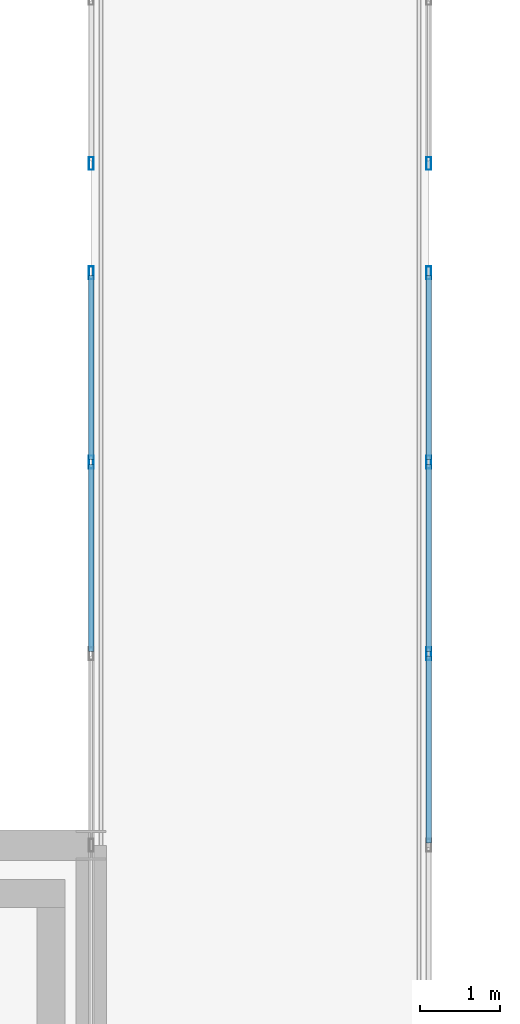
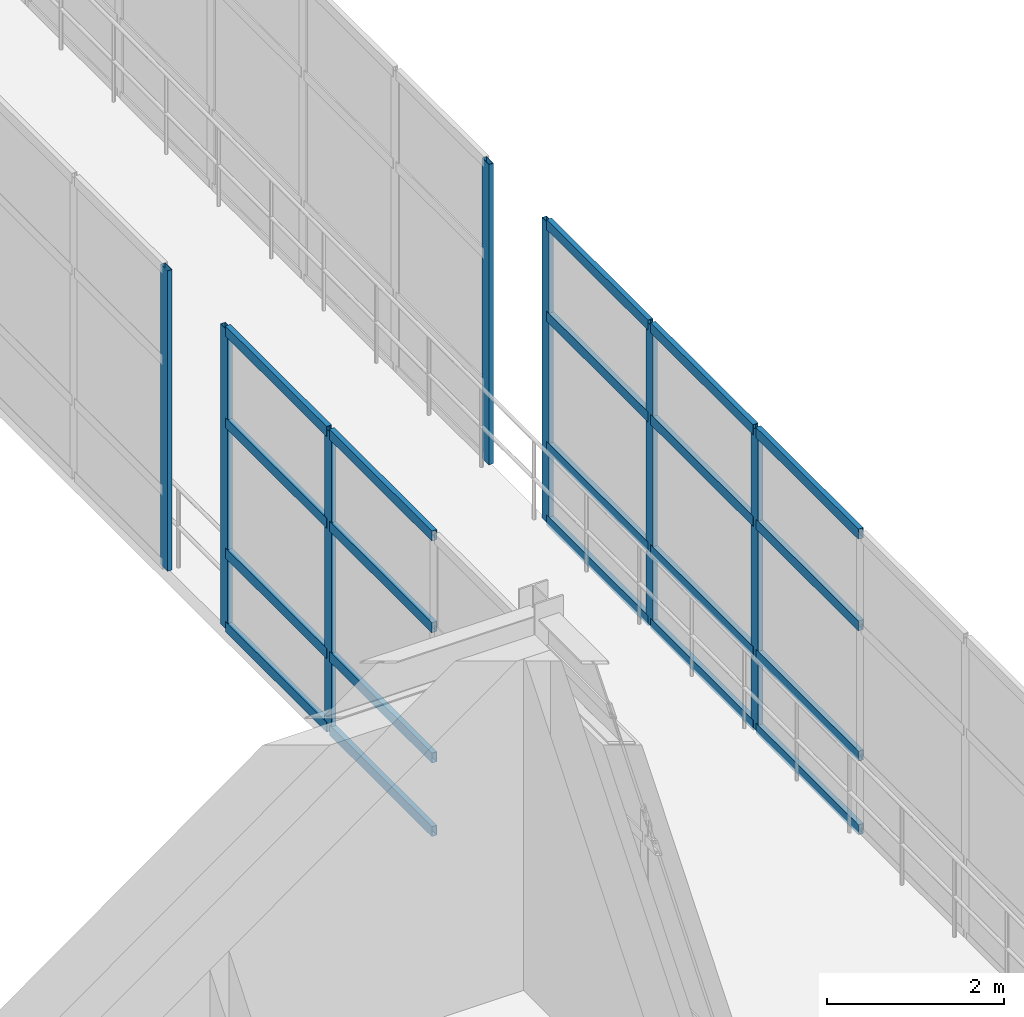
# One storey, part 60 of 116: 27 members, 4 elements without a shape of their own.
"""IFC4 building model written with IfcOpenShell, lengths in metres."""

from ifc_helpers import new_model, si_unit, direction, frame, origin, origin_2d, place, context, subcontext, project, spatial, hollow_rectangle, extrude, material, layer, layer_set, material_profile, profile_set, type_object, element, aggregate, save


model = new_model("IFC4")

# Units and contexts
model_context = context("Model", 3, precision=1e-05, world=origin(), true_north=direction((0.0, 1.0)))
body_context = subcontext(model_context, "Body", "Model", "MODEL_VIEW")
ifc_project = project(units=[si_unit("LENGTHUNIT", "METRE"), si_unit("AREAUNIT", "SQUARE_METRE"), si_unit("VOLUMEUNIT", "CUBIC_METRE"), si_unit("PLANEANGLEUNIT", "RADIAN"), si_unit("MASSUNIT", "GRAM", prefix="KILO")], contexts=[model_context])

# Site, building, storey
site_placement = place(None, origin())
site = spatial("IfcSite", under=ifc_project, at=site_placement, CompositionType="ELEMENT")
building_placement = place(site_placement, origin())
building = spatial("IfcBuilding", under=site, at=building_placement, Name="Selat Folded Stagehouse", CompositionType="ELEMENT")
storey_placement = place(building_placement, frame((0.0, 0.0, 5.39990234375)))
storey = spatial("IfcBuildingStorey", under=building, at=storey_placement, Name="L01", CompositionType="ELEMENT", Elevation=5.39990234375)

# Curtain wall, members
ifc_material = material(Name="Aluminium 6063-T6", Category="aluminium")
ifc_layer = layer(ifc_material, 0.175048828125)
ifc_layer_set = layer_set([ifc_layer], Name="Aluminium 6063-T6")
curtain_wall_type = type_object("IfcCurtainWallType", Name="CW-BRG-GLAZ", PredefinedType="NOTDEFINED", material=ifc_layer_set)
curtain_wall_1_placement = place(storey_placement, origin())
curtain_wall_1 = element("IfcCurtainWall", 1, at=curtain_wall_1_placement, inside=storey, type_object=curtain_wall_type, Name="L01 curtain wall CW-BRG-03", PredefinedType="NOTDEFINED")
ifc_material_profile_1 = material_profile(ifc_material, hollow_rectangle(XDim=0.06005859375, YDim=0.159912109375, WallThickness=0.00390625, at=origin_2d()), Name="ALU 160x60x4.0")
ifc_profile_set_1 = profile_set([ifc_material_profile_1], Name="Aluminium 6063-T6")
member_type_1 = type_object("IfcMemberType", Name="CWM-MUL-160x60", PredefinedType="MULLION", material=ifc_profile_set_1)
member_1_placement = place(storey_placement, frame((67.199951171875, 59.36669921875, 0.0), z_axis=(0.0, 0.0, 1.0), x_axis=(-1.0, 0.0, 0.0)))
member_1 = element("IfcMember", 2, at=member_1_placement, type_object=member_type_1, Name="CW-07 mullion 6", PredefinedType="MULLION", context=body_context, shape_type="SweptSolid", body=[
    extrude(hollow_rectangle(XDim=0.06005859375, YDim=0.159912109375, WallThickness=0.00390625, at=origin_2d()), origin(), (0.0, 0.0, 1.0), 4.150146484375),
])
member_2_placement = place(storey_placement, frame((67.199951171875, 61.719970703125, 0.0), z_axis=(0.0, 0.0, 1.0), x_axis=(-1.0, 0.0, 0.0)))
member_2 = element("IfcMember", 3, at=member_2_placement, type_object=member_type_1, Name="CW-07 mullion 7", PredefinedType="MULLION", context=body_context, shape_type="SweptSolid", body=[
    extrude(hollow_rectangle(XDim=0.06005859375, YDim=0.159912109375, WallThickness=0.00390625, at=origin_2d()), origin(), (0.0, 0.0, 1.0), 4.150146484375),
])

# Curtain wall, member
curtain_wall_2_placement = place(storey_placement, origin())
curtain_wall_2 = element("IfcCurtainWall", 4, at=curtain_wall_2_placement, inside=storey, type_object=curtain_wall_type, Name="L01 curtain wall CW-BRG-04", PredefinedType="NOTDEFINED")
member_3_placement = place(storey_placement, frame((67.199951171875, 63.080078125, 0.0), z_axis=(0.0, 0.0, 1.0), x_axis=(-1.0, 0.0, 0.0)))
member_3 = element("IfcMember", 5, at=member_3_placement, type_object=member_type_1, Name="CW-07 mullion 1", PredefinedType="MULLION", context=body_context, shape_type="SweptSolid", body=[
    extrude(hollow_rectangle(XDim=0.06005859375, YDim=0.159912109375, WallThickness=0.00390625, at=origin_2d()), origin(), (0.0, 0.0, 1.0), 4.150146484375),
])
aggregate(curtain_wall_2, [member_3])

# Curtain wall, members
curtain_wall_3_placement = place(storey_placement, origin())
curtain_wall_3 = element("IfcCurtainWall", 6, at=curtain_wall_3_placement, inside=storey, type_object=curtain_wall_type, Name="L01 curtain wall CW-BRG-08", PredefinedType="NOTDEFINED")
member_4_placement = place(storey_placement, frame((71.39990234375, 61.719970703125, 0.0), z_axis=(0.0, 0.0, 1.0), x_axis=(1.0, 0.0, 0.0)))
member_4 = element("IfcMember", 7, at=member_4_placement, type_object=member_type_1, Name="CW-07 mullion 1", PredefinedType="MULLION", context=body_context, shape_type="SweptSolid", body=[
    extrude(hollow_rectangle(XDim=0.06005859375, YDim=0.159912109375, WallThickness=0.00390625, at=origin_2d()), origin(), (0.0, 0.0, 1.0), 4.150146484375),
])
member_5_placement = place(storey_placement, frame((71.39990234375, 59.36669921875, 0.0), z_axis=(0.0, 0.0, 1.0), x_axis=(1.0, 0.0, 0.0)))
member_5 = element("IfcMember", 8, at=member_5_placement, type_object=member_type_1, Name="CW-07 mullion 2", PredefinedType="MULLION", context=body_context, shape_type="SweptSolid", body=[
    extrude(hollow_rectangle(XDim=0.06005859375, YDim=0.159912109375, WallThickness=0.00390625, at=origin_2d()), origin(), (0.0, 0.0, 1.0), 4.150146484375),
])
member_6_placement = place(storey_placement, frame((71.39990234375, 56.9833984375, 0.0), z_axis=(0.0, 0.0, 1.0), x_axis=(1.0, 0.0, 0.0)))
member_6 = element("IfcMember", 9, at=member_6_placement, type_object=member_type_1, Name="CW-07 mullion 3", PredefinedType="MULLION", context=body_context, shape_type="SweptSolid", body=[
    extrude(hollow_rectangle(XDim=0.06005859375, YDim=0.159912109375, WallThickness=0.00390625, at=origin_2d()), origin(), (0.0, 0.0, 1.0), 4.150146484375),
])

# Curtain wall, member
curtain_wall_4_placement = place(storey_placement, origin())
curtain_wall_4 = element("IfcCurtainWall", 10, at=curtain_wall_4_placement, inside=storey, type_object=curtain_wall_type, Name="L01 curtain wall CW-BRG-09", PredefinedType="NOTDEFINED")
member_7_placement = place(storey_placement, frame((71.39990234375, 63.080078125, 0.0), z_axis=(0.0, 0.0, 1.0), x_axis=(1.0, 0.0, 0.0)))
member_7 = element("IfcMember", 11, at=member_7_placement, type_object=member_type_1, Name="CW-07 mullion 7", PredefinedType="MULLION", context=body_context, shape_type="SweptSolid", body=[
    extrude(hollow_rectangle(XDim=0.06005859375, YDim=0.159912109375, WallThickness=0.00390625, at=origin_2d()), origin(), (0.0, 0.0, 1.0), 4.150146484375),
])
aggregate(curtain_wall_4, [member_7])

# Member
ifc_material_profile_2 = material_profile(ifc_material, hollow_rectangle(XDim=0.06494140625, YDim=0.139892578125, WallThickness=0.00390625, at=origin_2d()), Name="ALU 140x65x4.0")
ifc_profile_set_2 = profile_set([ifc_material_profile_2], Name="Aluminium 6063-T6")
member_type_2 = type_object("IfcMemberType", Name="CWM-TRN-140x65", PredefinedType="USERDEFINED", material=ifc_profile_set_2)
member_8_placement = place(storey_placement, frame((67.199951171875, 57.013427734375, 0.03271484375), z_axis=(0.0, 1.0, 0.0), x_axis=(-1.0, 0.0, 0.0)))
member_8 = element("IfcMember", 12, at=member_8_placement, type_object=member_type_2, Name="CW-07 transom 5.1", ObjectType="TRANSOM", PredefinedType="USERDEFINED", context=body_context, shape_type="SweptSolid", body=[
    extrude(hollow_rectangle(XDim=0.06494140625, YDim=0.139892578125, WallThickness=0.00390625, at=origin_2d()), origin(), (0.0, 0.0, 1.0), 2.3232421875),
])

member_9_placement = place(storey_placement, frame((67.199951171875, 57.013427734375, 1.050048828125), z_axis=(0.0, 1.0, 0.0), x_axis=(-1.0, 0.0, 0.0)))
member_9 = element("IfcMember", 13, at=member_9_placement, type_object=member_type_2, Name="CW-07 transom 5.2", ObjectType="TRANSOM", PredefinedType="USERDEFINED", context=body_context, shape_type="SweptSolid", body=[
    extrude(hollow_rectangle(XDim=0.06494140625, YDim=0.139892578125, WallThickness=0.00390625, at=origin_2d()), origin(), (0.0, 0.0, 1.0), 2.3232421875),
])

member_10_placement = place(storey_placement, frame((67.199951171875, 57.013427734375, 2.85009765625), z_axis=(0.0, 1.0, 0.0), x_axis=(-1.0, 0.0, 0.0)))
member_10 = element("IfcMember", 14, at=member_10_placement, type_object=member_type_2, Name="CW-07 transom 5.3", ObjectType="TRANSOM", PredefinedType="USERDEFINED", context=body_context, shape_type="SweptSolid", body=[
    extrude(hollow_rectangle(XDim=0.06494140625, YDim=0.139892578125, WallThickness=0.00390625, at=origin_2d()), origin(), (0.0, 0.0, 1.0), 2.3232421875),
])

member_11_placement = place(storey_placement, frame((67.199951171875, 57.013427734375, 4.11767578125), z_axis=(0.0, 1.0, 0.0), x_axis=(-1.0, 0.0, 0.0)))
member_11 = element("IfcMember", 15, at=member_11_placement, type_object=member_type_2, Name="CW-07 transom 5.4", ObjectType="TRANSOM", PredefinedType="USERDEFINED", context=body_context, shape_type="SweptSolid", body=[
    extrude(hollow_rectangle(XDim=0.06494140625, YDim=0.139892578125, WallThickness=0.00390625, at=origin_2d()), origin(), (0.0, 0.0, 1.0), 2.3232421875),
])

member_12_placement = place(storey_placement, frame((67.199951171875, 59.396728515625, 0.03271484375), z_axis=(0.0, 1.0, 0.0), x_axis=(-1.0, 0.0, 0.0)))
member_12 = element("IfcMember", 16, at=member_12_placement, type_object=member_type_2, Name="CW-07 transom 6.1", ObjectType="TRANSOM", PredefinedType="USERDEFINED", context=body_context, shape_type="SweptSolid", body=[
    extrude(hollow_rectangle(XDim=0.06494140625, YDim=0.139892578125, WallThickness=0.00390625, at=origin_2d()), origin(), (0.0, 0.0, 1.0), 2.293212890625),
])

member_13_placement = place(storey_placement, frame((67.199951171875, 59.396728515625, 1.050048828125), z_axis=(0.0, 1.0, 0.0), x_axis=(-1.0, 0.0, 0.0)))
member_13 = element("IfcMember", 17, at=member_13_placement, type_object=member_type_2, Name="CW-07 transom 6.2", ObjectType="TRANSOM", PredefinedType="USERDEFINED", context=body_context, shape_type="SweptSolid", body=[
    extrude(hollow_rectangle(XDim=0.06494140625, YDim=0.139892578125, WallThickness=0.00390625, at=origin_2d()), origin(), (0.0, 0.0, 1.0), 2.293212890625),
])

member_14_placement = place(storey_placement, frame((67.199951171875, 59.396728515625, 2.85009765625), z_axis=(0.0, 1.0, 0.0), x_axis=(-1.0, 0.0, 0.0)))
member_14 = element("IfcMember", 18, at=member_14_placement, type_object=member_type_2, Name="CW-07 transom 6.3", ObjectType="TRANSOM", PredefinedType="USERDEFINED", context=body_context, shape_type="SweptSolid", body=[
    extrude(hollow_rectangle(XDim=0.06494140625, YDim=0.139892578125, WallThickness=0.00390625, at=origin_2d()), origin(), (0.0, 0.0, 1.0), 2.293212890625),
])

member_15_placement = place(storey_placement, frame((67.199951171875, 59.396728515625, 4.11767578125), z_axis=(0.0, 1.0, 0.0), x_axis=(-1.0, 0.0, 0.0)))
member_15 = element("IfcMember", 19, at=member_15_placement, type_object=member_type_2, Name="CW-07 transom 6.4", ObjectType="TRANSOM", PredefinedType="USERDEFINED", context=body_context, shape_type="SweptSolid", body=[
    extrude(hollow_rectangle(XDim=0.06494140625, YDim=0.139892578125, WallThickness=0.00390625, at=origin_2d()), origin(), (0.0, 0.0, 1.0), 2.293212890625),
])

aggregate(curtain_wall_1, [member_1, member_2, member_8, member_9, member_10, member_11, member_12, member_13, member_14, member_15])

member_16_placement = place(storey_placement, frame((71.39990234375, 61.68994140625, 0.03271484375), z_axis=(0.0, -1.0, 0.0), x_axis=(1.0, 0.0, 0.0)))
member_16 = element("IfcMember", 20, at=member_16_placement, type_object=member_type_2, Name="CW-07 transom 1.1", ObjectType="TRANSOM", PredefinedType="USERDEFINED", context=body_context, shape_type="SweptSolid", body=[
    extrude(hollow_rectangle(XDim=0.06494140625, YDim=0.139892578125, WallThickness=0.00390625, at=origin_2d()), origin(), (0.0, 0.0, 1.0), 2.293212890625),
])

member_17_placement = place(storey_placement, frame((71.39990234375, 61.68994140625, 1.050048828125), z_axis=(0.0, -1.0, 0.0), x_axis=(1.0, 0.0, 0.0)))
member_17 = element("IfcMember", 21, at=member_17_placement, type_object=member_type_2, Name="CW-07 transom 1.2", ObjectType="TRANSOM", PredefinedType="USERDEFINED", context=body_context, shape_type="SweptSolid", body=[
    extrude(hollow_rectangle(XDim=0.06494140625, YDim=0.139892578125, WallThickness=0.00390625, at=origin_2d()), origin(), (0.0, 0.0, 1.0), 2.293212890625),
])

member_18_placement = place(storey_placement, frame((71.39990234375, 61.68994140625, 2.85009765625), z_axis=(0.0, -1.0, 0.0), x_axis=(1.0, 0.0, 0.0)))
member_18 = element("IfcMember", 22, at=member_18_placement, type_object=member_type_2, Name="CW-07 transom 1.3", ObjectType="TRANSOM", PredefinedType="USERDEFINED", context=body_context, shape_type="SweptSolid", body=[
    extrude(hollow_rectangle(XDim=0.06494140625, YDim=0.139892578125, WallThickness=0.00390625, at=origin_2d()), origin(), (0.0, 0.0, 1.0), 2.293212890625),
])

member_19_placement = place(storey_placement, frame((71.39990234375, 61.68994140625, 4.11767578125), z_axis=(0.0, -1.0, 0.0), x_axis=(1.0, 0.0, 0.0)))
member_19 = element("IfcMember", 23, at=member_19_placement, type_object=member_type_2, Name="CW-07 transom 1.4", ObjectType="TRANSOM", PredefinedType="USERDEFINED", context=body_context, shape_type="SweptSolid", body=[
    extrude(hollow_rectangle(XDim=0.06494140625, YDim=0.139892578125, WallThickness=0.00390625, at=origin_2d()), origin(), (0.0, 0.0, 1.0), 2.293212890625),
])

member_20_placement = place(storey_placement, frame((71.39990234375, 59.336669921875, 0.03271484375), z_axis=(0.0, -1.0, 0.0), x_axis=(1.0, 0.0, 0.0)))
member_20 = element("IfcMember", 24, at=member_20_placement, type_object=member_type_2, Name="CW-07 transom 2.1", ObjectType="TRANSOM", PredefinedType="USERDEFINED", context=body_context, shape_type="SweptSolid", body=[
    extrude(hollow_rectangle(XDim=0.06494140625, YDim=0.139892578125, WallThickness=0.00390625, at=origin_2d()), origin(), (0.0, 0.0, 1.0), 2.3232421875),
])

member_21_placement = place(storey_placement, frame((71.39990234375, 59.336669921875, 1.050048828125), z_axis=(0.0, -1.0, 0.0), x_axis=(1.0, 0.0, 0.0)))
member_21 = element("IfcMember", 25, at=member_21_placement, type_object=member_type_2, Name="CW-07 transom 2.2", ObjectType="TRANSOM", PredefinedType="USERDEFINED", context=body_context, shape_type="SweptSolid", body=[
    extrude(hollow_rectangle(XDim=0.06494140625, YDim=0.139892578125, WallThickness=0.00390625, at=origin_2d()), origin(), (0.0, 0.0, 1.0), 2.3232421875),
])

member_22_placement = place(storey_placement, frame((71.39990234375, 59.336669921875, 2.85009765625), z_axis=(0.0, -1.0, 0.0), x_axis=(1.0, 0.0, 0.0)))
member_22 = element("IfcMember", 26, at=member_22_placement, type_object=member_type_2, Name="CW-07 transom 2.3", ObjectType="TRANSOM", PredefinedType="USERDEFINED", context=body_context, shape_type="SweptSolid", body=[
    extrude(hollow_rectangle(XDim=0.06494140625, YDim=0.139892578125, WallThickness=0.00390625, at=origin_2d()), origin(), (0.0, 0.0, 1.0), 2.3232421875),
])

member_23_placement = place(storey_placement, frame((71.39990234375, 59.336669921875, 4.11767578125), z_axis=(0.0, -1.0, 0.0), x_axis=(1.0, 0.0, 0.0)))
member_23 = element("IfcMember", 27, at=member_23_placement, type_object=member_type_2, Name="CW-07 transom 2.4", ObjectType="TRANSOM", PredefinedType="USERDEFINED", context=body_context, shape_type="SweptSolid", body=[
    extrude(hollow_rectangle(XDim=0.06494140625, YDim=0.139892578125, WallThickness=0.00390625, at=origin_2d()), origin(), (0.0, 0.0, 1.0), 2.3232421875),
])

member_24_placement = place(storey_placement, frame((71.39990234375, 56.953369140625, 0.03271484375), z_axis=(0.0, -1.0, 0.0), x_axis=(1.0, 0.0, 0.0)))
member_24 = element("IfcMember", 28, at=member_24_placement, type_object=member_type_2, Name="CW-07 transom 3.1", ObjectType="TRANSOM", PredefinedType="USERDEFINED", context=body_context, shape_type="SweptSolid", body=[
    extrude(hollow_rectangle(XDim=0.06494140625, YDim=0.139892578125, WallThickness=0.00390625, at=origin_2d()), origin(), (0.0, 0.0, 1.0), 2.323486328125),
])

member_25_placement = place(storey_placement, frame((71.39990234375, 56.953369140625, 1.050048828125), z_axis=(0.0, -1.0, 0.0), x_axis=(1.0, 0.0, 0.0)))
member_25 = element("IfcMember", 29, at=member_25_placement, type_object=member_type_2, Name="CW-07 transom 3.2", ObjectType="TRANSOM", PredefinedType="USERDEFINED", context=body_context, shape_type="SweptSolid", body=[
    extrude(hollow_rectangle(XDim=0.06494140625, YDim=0.139892578125, WallThickness=0.00390625, at=origin_2d()), origin(), (0.0, 0.0, 1.0), 2.323486328125),
])

member_26_placement = place(storey_placement, frame((71.39990234375, 56.953369140625, 2.85009765625), z_axis=(0.0, -1.0, 0.0), x_axis=(1.0, 0.0, 0.0)))
member_26 = element("IfcMember", 30, at=member_26_placement, type_object=member_type_2, Name="CW-07 transom 3.3", ObjectType="TRANSOM", PredefinedType="USERDEFINED", context=body_context, shape_type="SweptSolid", body=[
    extrude(hollow_rectangle(XDim=0.06494140625, YDim=0.139892578125, WallThickness=0.00390625, at=origin_2d()), origin(), (0.0, 0.0, 1.0), 2.323486328125),
])

member_27_placement = place(storey_placement, frame((71.39990234375, 56.953369140625, 4.11767578125), z_axis=(0.0, -1.0, 0.0), x_axis=(1.0, 0.0, 0.0)))
member_27 = element("IfcMember", 31, at=member_27_placement, type_object=member_type_2, Name="CW-07 transom 3.4", ObjectType="TRANSOM", PredefinedType="USERDEFINED", context=body_context, shape_type="SweptSolid", body=[
    extrude(hollow_rectangle(XDim=0.06494140625, YDim=0.139892578125, WallThickness=0.00390625, at=origin_2d()), origin(), (0.0, 0.0, 1.0), 2.323486328125),
])

aggregate(curtain_wall_3, [member_4, member_5, member_6, member_16, member_17, member_18, member_19, member_20, member_21, member_22, member_23, member_24, member_25, member_26, member_27])

save(model, "model.ifc")
